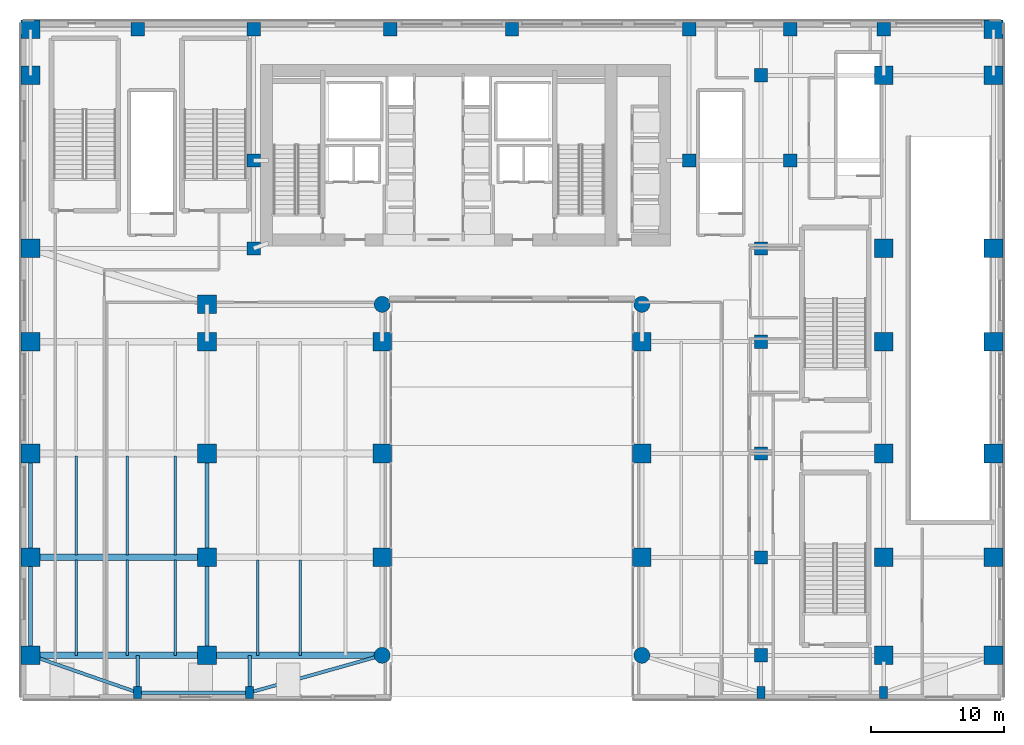
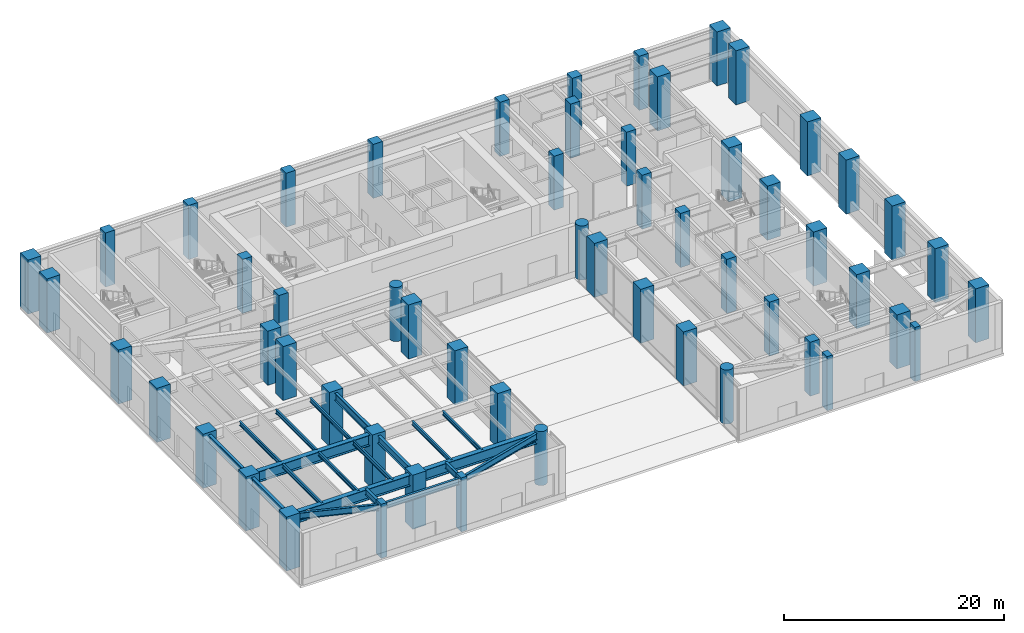
# One storey, part 1 of 28: 56 columns, 20 beams.
"""IFC4 building model written with IfcOpenShell, lengths in metres."""

from ifc_helpers import new_model, si_unit, direction, frame, origin, origin_2d, place, context, subcontext, project, spatial, rectangle, circle, i_section, extrude, source, transform, mapped, material, material_profile, profile_set, type_object, type_shapes, element, save


model = new_model("IFC4")

# Units and contexts
model_context = context("Model", 3, precision=1e-05, world=origin(), true_north=direction((0.0, 1.0)))
body_context = subcontext(model_context, "Body", "Model", "MODEL_VIEW")
ifc_project = project(units=[si_unit("LENGTHUNIT", "METRE"), si_unit("AREAUNIT", "SQUARE_METRE"), si_unit("VOLUMEUNIT", "CUBIC_METRE"), si_unit("PLANEANGLEUNIT", "RADIAN"), si_unit("MASSUNIT", "GRAM", prefix="KILO")], contexts=[model_context])

# Site, building, storey
site_placement = place(None, origin())
site = spatial("IfcSite", under=ifc_project, at=site_placement, CompositionType="ELEMENT")
building_placement = place(site_placement, origin())
building = spatial("IfcBuilding", under=site, at=building_placement, Name="Tolvann Quenvar Hotel", CompositionType="ELEMENT")
storey_placement = place(building_placement, origin())
storey = spatial("IfcBuildingStorey", under=building, at=storey_placement, Name="L00", CompositionType="ELEMENT", Elevation=0.0)

# Columns
ifc_material_1 = material(Name="Concrete S80 (80 MPa)", Category="concrete")
ifc_material_profile_1 = material_profile(ifc_material_1, rectangle(XDim=1.39990234375, YDim=1.39990234375, at=origin_2d()), Name="RC1400x1400")
ifc_profile_set_1 = profile_set([ifc_material_profile_1], Name="Concrete S80 (80 MPa)")
column_type_1 = type_object("IfcColumnType", Name="COL_RC1400", PredefinedType="COLUMN", material=ifc_profile_set_1)
shared_shape_1 = source(origin(), body_context, "Body", "SweptSolid", [
    extrude(rectangle(XDim=1.39990234375, YDim=1.39990234375, at=origin_2d()), origin(), (0.0, 0.0, 1.0), 6.0),
])
type_shapes(column_type_1, [shared_shape_1])
for number, where, z_axis, x_axis, name in (
    (1, (-7.64990234375, 0.85009765625, 0.0), (0.0, 0.0, 1.0), (1.0, 0.0, 0.0), "Column PA1 (L00)"),
    (2, (64.64990234375, 0.85009765625, 0.0), (0.0, 0.0, 1.0), (1.0, 0.0, 0.0), "Column PK1 (L00)"),
    (3, (-7.64990234375, 8.199951171875, 0.0), (0.0, 0.0, 1.0), (1.0, 0.0, 0.0), "Column PA2 (L00)"),
    (4, (64.64990234375, 8.199951171875, 0.0), (0.0, 0.0, 1.0), (1.0, 0.0, 0.0), "Column PK2 (L00)"),
    (5, (-7.64990234375, 16.0, 0.0), (0.0, 0.0, 1.0), (1.0, 0.0, 0.0), "Column PA3 (L00)"),
    (6, (64.64990234375, 16.0, 0.0), (0.0, 0.0, 1.0), (1.0, 0.0, 0.0), "Column PK3 (L00)"),
    (7, (-7.64990234375, 24.39990234375, 0.0), (0.0, 0.0, 1.0), (1.0, 0.0, 0.0), "Column PA4 (L00)"),
    (8, (64.64990234375, 24.39990234375, 0.0), (0.0, 0.0, 1.0), (1.0, 0.0, 0.0), "Column PK4 (L00)"),
    (9, (-7.64990234375, 31.39990234375, 0.0), (0.0, 0.0, 1.0), (1.0, 0.0, 0.0), "Column PA5 (L00)"),
    (10, (64.64990234375, 31.39990234375, 0.0), (0.0, 0.0, 1.0), (1.0, 0.0, 0.0), "Column PK5 (L00)"),
    (11, (-7.64990234375, 44.39990234375, 0.0), (0.0, 0.0, 1.0), (1.0, 0.0, 0.0), "Column PA6 (L00)"),
    (12, (64.64990234375, 44.39990234375, 0.0), (0.0, 0.0, 1.0), (1.0, 0.0, 0.0), "Column PK6 (L00)"),
    (13, (-7.64990234375, 47.85009765625, 0.0), (0.0, 0.0, 1.0), (1.0, 0.0, 0.0), "Column PAN (L00)"),
    (14, (64.64990234375, 47.85009765625, 0.0), (0.0, 0.0, 1.0), (1.0, 0.0, 0.0), "Column PKN (L00)"),
    (15, (18.75, 8.199951171875, 0.0), (0.0, 0.0, 1.0), (1.0, 0.0, 0.0), "Column PAPW2 (L00)"),
    (16, (38.25, 8.199951171875, 0.0), (0.0, 0.0, 1.0), (1.0, 0.0, 0.0), "Column PAPE2 (L00)"),
    (17, (18.75, 16.0, 0.0), (0.0, 0.0, 1.0), (1.0, 0.0, 0.0), "Column PAPW3 (L00)"),
    (18, (38.25, 16.0, 0.0), (0.0, 0.0, 1.0), (1.0, 0.0, 0.0), "Column PAPE3 (L00)"),
    (19, (18.75, 24.39990234375, 0.0), (0.0, 0.0, 1.0), (1.0, 0.0, 0.0), "Column PAPW4 (L00)"),
    (20, (38.25, 24.39990234375, 0.0), (0.0, 0.0, 1.0), (1.0, 0.0, 0.0), "Column PAPE4 (L00)"),
    (21, (56.39990234375, 0.85009765625, 0.0), (0.0, 0.0, 1.0), (1.0, 0.0, 0.0), "Column PJ1 (L00)"),
    (22, (56.39990234375, 8.199951171875, 0.0), (0.0, 0.0, 1.0), (1.0, 0.0, 0.0), "Column PJ2 (L00)"),
    (23, (56.39990234375, 16.0, 0.0), (0.0, 0.0, 1.0), (1.0, 0.0, 0.0), "Column PJ3 (L00)"),
    (24, (56.39990234375, 24.39990234375, 0.0), (0.0, 0.0, 1.0), (1.0, 0.0, 0.0), "Column PJ4 (L00)"),
    (25, (56.39990234375, 31.39990234375, 0.0), (0.0, 0.0, 1.0), (1.0, 0.0, 0.0), "Column PJ5 (L00)"),
    (26, (56.39990234375, 44.39990234375, 0.0), (0.0, 0.0, 1.0), (1.0, 0.0, 0.0), "Column PJ6 (L00)"),
    (27, (5.60009765625, 0.85009765625, 0.0), (0.0, 0.0, 1.0), (1.0, 0.0, 0.0), "Column PBAL1 (L00)"),
    (28, (5.60009765625, 8.199951171875, 0.0), (0.0, 0.0, 1.0), (1.0, 0.0, 0.0), "Column PBAL2 (L00)"),
    (29, (5.60009765625, 16.0, 0.0), (0.0, 0.0, 1.0), (1.0, 0.0, 0.0), "Column PBAL3 (L00)"),
    (30, (5.60009765625, 24.39990234375, 0.0), (0.0, 0.0, 1.0), (1.0, 0.0, 0.0), "Column PBAL4 (L00)"),
    (31, (5.60009765625, 27.199951171875, 0.0), (0.0, 0.0, 1.0), (1.0, 0.0, 0.0), "Column PBAL5 (L00)"),
):
    element("IfcColumn", number, at=place(storey_placement, frame(where, z_axis=z_axis, x_axis=x_axis)), inside=storey, type_object=column_type_1, Name=name, PredefinedType="COLUMN", context=body_context, shape_type="MappedRepresentation", body=[
        mapped(shared_shape_1, transform((0.0, 0.0, 0.0), x_axis=(1.0, 0.0, 0.0), y_axis=(0.0, 1.0, 0.0), z_axis=(0.0, 0.0, 1.0), scale=1.0)),
    ])
ifc_material_profile_2 = material_profile(ifc_material_1, circle(Radius=0.60009765625, at=origin_2d()), Name="RCC1200")
ifc_profile_set_2 = profile_set([ifc_material_profile_2], Name="Concrete S80 (80 MPa)")
column_type_2 = type_object("IfcColumnType", Name="COL_RCC1200", PredefinedType="COLUMN", material=ifc_profile_set_2)
shared_shape_2 = source(origin(), body_context, "Body", "SweptSolid", [
    extrude(circle(Radius=0.60009765625, at=origin_2d()), origin(), (0.0, 0.0, 1.0), 6.0),
])
type_shapes(column_type_2, [shared_shape_2])
for number, where, z_axis, x_axis, name in (
    (32, (18.75, 0.85009765625, 0.0), (0.0, 0.0, 1.0), (1.0, 0.0, 0.0), "Column PAPW1 (L00)"),
    (33, (38.25, 0.85009765625, 0.0), (0.0, 0.0, 1.0), (1.0, 0.0, 0.0), "Column PAPE1 (L00)"),
    (34, (18.75, 27.199951171875, 0.0), (0.0, 0.0, 1.0), (1.0, 0.0, 0.0), "Column PAPW5 (L00)"),
    (35, (38.25, 27.199951171875, 0.0), (0.0, 0.0, 1.0), (1.0, 0.0, 0.0), "Column PAPE5 (L00)"),
):
    element("IfcColumn", number, at=place(storey_placement, frame(where, z_axis=z_axis, x_axis=x_axis)), inside=storey, type_object=column_type_2, Name=name, PredefinedType="COLUMN", context=body_context, shape_type="MappedRepresentation", body=[
        mapped(shared_shape_2, transform((0.0, 0.0, 0.0), x_axis=(1.0, 0.0, 0.0), y_axis=(0.0, 1.0, 0.0), z_axis=(0.0, 0.0, 1.0), scale=1.0)),
    ])
ifc_material_2 = material(Name="Concrete S65 (65 MPa)", Category="concrete")
ifc_material_profile_3 = material_profile(ifc_material_2, rectangle(XDim=1.0, YDim=1.0, at=origin_2d()), Name="RC1000x1000")
ifc_profile_set_3 = profile_set([ifc_material_profile_3], Name="Concrete S65 (65 MPa)")
column_type_3 = type_object("IfcColumnType", Name="COL_RC1000", PredefinedType="COLUMN", material=ifc_profile_set_3)
shared_shape_3 = source(origin(), body_context, "Body", "SweptSolid", [
    extrude(rectangle(XDim=1.0, YDim=1.0, at=origin_2d()), origin(), (0.0, 0.0, 1.0), 6.0),
])
type_shapes(column_type_3, [shared_shape_3])
for number, where, z_axis, x_axis, name in (
    (36, (47.199951171875, 0.85009765625, 0.0), (0.0, 0.0, 1.0), (1.0, 0.0, 0.0), "Column PH1 (L00)"),
    (37, (47.199951171875, 8.199951171875, 0.0), (0.0, 0.0, 1.0), (1.0, 0.0, 0.0), "Column PH2 (L00)"),
    (38, (47.199951171875, 16.0, 0.0), (0.0, 0.0, 1.0), (1.0, 0.0, 0.0), "Column PH3 (L00)"),
    (39, (47.199951171875, 24.39990234375, 0.0), (0.0, 0.0, 1.0), (1.0, 0.0, 0.0), "Column PH4 (L00)"),
    (40, (47.199951171875, 31.39990234375, 0.0), (0.0, 0.0, 1.0), (1.0, 0.0, 0.0), "Column PH5 (L00)"),
    (41, (47.199951171875, 44.39990234375, 0.0), (0.0, 0.0, 1.0), (1.0, 0.0, 0.0), "Column PH6 (L00)"),
    (42, (0.39990234375, 47.85009765625, 0.0), (0.0, 0.0, 1.0), (1.0, 0.0, 0.0), "Column PN1 (L00)"),
    (43, (9.10009765625, 47.85009765625, 0.0), (0.0, 0.0, 1.0), (1.0, 0.0, 0.0), "Column PN2 (L00)"),
    (44, (19.35009765625, 47.85009765625, 0.0), (0.0, 0.0, 1.0), (1.0, 0.0, 0.0), "Column PN3 (L00)"),
    (45, (28.5, 47.85009765625, 0.0), (0.0, 0.0, 1.0), (1.0, 0.0, 0.0), "Column PN4 (L00)"),
    (46, (41.800048828125, 47.85009765625, 0.0), (0.0, 0.0, 1.0), (1.0, 0.0, 0.0), "Column PN5 (L00)"),
    (47, (49.39990234375, 47.85009765625, 0.0), (0.0, 0.0, 1.0), (1.0, 0.0, 0.0), "Column PN6 (L00)"),
    (48, (56.39990234375, 47.85009765625, 0.0), (0.0, 0.0, 1.0), (1.0, 0.0, 0.0), "Column PN7 (L00)"),
    (49, (9.10009765625, 38.0, 0.0), (0.0, 0.0, 1.0), (1.0, 0.0, 0.0), "Column PCN (L00)"),
    (50, (41.800048828125, 38.0, 0.0), (0.0, 0.0, 1.0), (1.0, 0.0, 0.0), "Column PHN (L00)"),
    (51, (49.39990234375, 38.0, 0.0), (0.0, 0.0, 1.0), (1.0, 0.0, 0.0), "Column PIN (L00)"),
    (52, (9.10009765625, 31.39990234375, 0.0), (0.0, 0.0, 1.0), (1.0, 0.0, 0.0), "Column PCNS (L00)"),
):
    element("IfcColumn", number, at=place(storey_placement, frame(where, z_axis=z_axis, x_axis=x_axis)), inside=storey, type_object=column_type_3, Name=name, PredefinedType="COLUMN", context=body_context, shape_type="MappedRepresentation", body=[
        mapped(shared_shape_3, transform((0.0, 0.0, 0.0), x_axis=(1.0, 0.0, 0.0), y_axis=(0.0, 1.0, 0.0), z_axis=(0.0, 0.0, 1.0), scale=1.0)),
    ])
ifc_material_3 = material(Name="Concrete N50 (50 MPa)", Category="concrete")
ifc_material_profile_4 = material_profile(ifc_material_3, rectangle(XDim=0.60009765625, YDim=0.89990234375, at=origin_2d()), Name="RC600x900")
ifc_profile_set_4 = profile_set([ifc_material_profile_4], Name="Concrete N50 (50 MPa)")
column_type_4 = type_object("IfcColumnType", Name="COL_PILASTER_600x900", PredefinedType="PILASTER", material=ifc_profile_set_4)
shared_shape_4 = source(origin(), body_context, "Body", "SweptSolid", [
    extrude(rectangle(XDim=0.60009765625, YDim=0.89990234375, at=origin_2d()), origin(), (0.0, 0.0, 1.0), 6.0),
])
type_shapes(column_type_4, [shared_shape_4])
for number, where, z_axis, x_axis, name in (
    (53, (0.39990234375, -1.949951171875, 0.0), (0.0, 0.0, 1.0), (1.0, 0.0, 0.0), "Column PIL-S1 (L00)"),
    (54, (8.800048828125, -1.949951171875, 0.0), (0.0, 0.0, 1.0), (1.0, 0.0, 0.0), "Column PIL-S2 (L00)"),
    (55, (47.199951171875, -1.949951171875, 0.0), (0.0, 0.0, 1.0), (1.0, 0.0, 0.0), "Column PIL-S3 (L00)"),
    (56, (56.39990234375, -1.949951171875, 0.0), (0.0, 0.0, 1.0), (1.0, 0.0, 0.0), "Column PIL-S4 (L00)"),
):
    element("IfcColumn", number, at=place(storey_placement, frame(where, z_axis=z_axis, x_axis=x_axis)), inside=storey, type_object=column_type_4, Name=name, PredefinedType="PILASTER", context=body_context, shape_type="MappedRepresentation", body=[
        mapped(shared_shape_4, transform((0.0, 0.0, 0.0), x_axis=(1.0, 0.0, 0.0), y_axis=(0.0, 1.0, 0.0), z_axis=(0.0, 0.0, 1.0), scale=1.0)),
    ])

# Beams
ifc_material_4 = material(Name="Steel Grade 350", Category="steel")
ifc_material_profile_5 = material_profile(ifc_material_4, i_section(OverallWidth=0.5, OverallDepth=1.199951171875, WebThickness=0.01611328125, FlangeThickness=0.0400390625, at=origin_2d()), Name="1200WB455")
ifc_profile_set_5 = profile_set([ifc_material_profile_5], Name="Steel Grade 350")
beam_type_1 = type_object("IfcBeamType", Name="BM_TG_1200WB455", PredefinedType="USERDEFINED", material=ifc_profile_set_5)
shared_shape_5 = source(origin(), body_context, "Body", "SweptSolid", [
    extrude(i_section(OverallWidth=0.5, OverallDepth=1.199951171875, WebThickness=0.01611328125, FlangeThickness=0.0400390625, at=origin_2d()), origin(), (0.0, 0.0, 1.0), 13.25),
])
for number, where, z_axis, x_axis, name in (
    (57, (-7.64990234375, 0.85009765625, 5.139892578125), (1.0, 0.0, 0.0), (0.0, 1.0, 0.0), "BM-L00-GW1-1"),
    (58, (-7.64990234375, 8.199951171875, 5.139892578125), (1.0, 0.0, 0.0), (0.0, 1.0, 0.0), "BM-L00-GW1-2"),
):
    element("IfcBeam", number, at=place(storey_placement, frame(where, z_axis=z_axis, x_axis=x_axis)), inside=storey, type_object=beam_type_1, Name=name, ObjectType="TRANSFER GIRDER", PredefinedType="USERDEFINED", context=body_context, shape_type="MappedRepresentation", body=[
        mapped(shared_shape_5, transform((0.0, 0.0, 0.0), x_axis=(1.0, 0.0, 0.0), y_axis=(0.0, 1.0, 0.0), z_axis=(0.0, 0.0, 1.0), scale=1.0)),
    ])
shared_shape_6 = source(origin(), body_context, "Body", "SweptSolid", [
    extrude(i_section(OverallWidth=0.5, OverallDepth=1.199951171875, WebThickness=0.01611328125, FlangeThickness=0.0400390625, at=origin_2d()), origin(), (0.0, 0.0, 1.0), 13.14990234375),
])
type_shapes(beam_type_1, [shared_shape_5, shared_shape_6])
beam_1_placement = place(storey_placement, frame((5.60009765625, 0.85009765625, 5.139892578125), z_axis=(1.0, 0.0, 0.0), x_axis=(0.0, 1.0, 0.0)))
element("IfcBeam", 59, at=beam_1_placement, inside=storey, type_object=beam_type_1, Name="BM-L00-GW2-1", ObjectType="TRANSFER GIRDER", PredefinedType="USERDEFINED", context=body_context, shape_type="MappedRepresentation", body=[
    mapped(shared_shape_6, transform((0.0, 0.0, 0.0), x_axis=(1.0, 0.0, 0.0), y_axis=(0.0, 1.0, 0.0), z_axis=(0.0, 0.0, 1.0), scale=1.0)),
])
ifc_material_profile_6 = material_profile(ifc_material_4, i_section(OverallWidth=0.300048828125, OverallDepth=0.81591796875, WebThickness=0.010009765625, FlangeThickness=0.028076171875, at=origin_2d()), Name="800WB192")
ifc_profile_set_6 = profile_set([ifc_material_profile_6], Name="Steel Grade 350")
beam_type_2 = type_object("IfcBeamType", Name="BM_GIRD_800WB192", PredefinedType="BEAM", material=ifc_profile_set_6)
shared_shape_7 = source(origin(), body_context, "Body", "SweptSolid", [
    extrude(i_section(OverallWidth=0.300048828125, OverallDepth=0.81591796875, WebThickness=0.010009765625, FlangeThickness=0.028076171875, at=origin_2d()), origin(), (0.0, 0.0, 1.0), 7.349853515625),
])
for number, where, z_axis, x_axis, name in (
    (60, (5.60009765625, 0.85009765625, 5.33203125), (0.0, 1.0, 0.0), (-1.0, 0.0, 0.0), "BM-L00-NS-PBAL-0"),
    (61, (-7.64990234375, 0.85009765625, 5.33203125), (0.0, 1.0, 0.0), (-1.0, 0.0, 0.0), "BM-L00-NS-A-0"),
):
    element("IfcBeam", number, at=place(storey_placement, frame(where, z_axis=z_axis, x_axis=x_axis)), inside=storey, type_object=beam_type_2, Name=name, PredefinedType="BEAM", context=body_context, shape_type="MappedRepresentation", body=[
        mapped(shared_shape_7, transform((0.0, 0.0, 0.0), x_axis=(1.0, 0.0, 0.0), y_axis=(0.0, 1.0, 0.0), z_axis=(0.0, 0.0, 1.0), scale=1.0)),
    ])
shared_shape_8 = source(origin(), body_context, "Body", "SweptSolid", [
    extrude(i_section(OverallWidth=0.300048828125, OverallDepth=0.81591796875, WebThickness=0.010009765625, FlangeThickness=0.028076171875, at=origin_2d()), origin(), (0.0, 0.0, 1.0), 7.800048828125),
])
type_shapes(beam_type_2, [shared_shape_7, shared_shape_8])
for number, where, z_axis, x_axis, name in (
    (62, (5.60009765625, 8.199951171875, 5.33203125), (0.0, 1.0, 0.0), (-1.0, 0.0, 0.0), "BM-L00-NS-PBAL-1"),
    (63, (-7.64990234375, 8.199951171875, 5.33203125), (0.0, 1.0, 0.0), (-1.0, 0.0, 0.0), "BM-L00-NS-A-1"),
):
    element("IfcBeam", number, at=place(storey_placement, frame(where, z_axis=z_axis, x_axis=x_axis)), inside=storey, type_object=beam_type_2, Name=name, PredefinedType="BEAM", context=body_context, shape_type="MappedRepresentation", body=[
        mapped(shared_shape_8, transform((0.0, 0.0, 0.0), x_axis=(1.0, 0.0, 0.0), y_axis=(0.0, 1.0, 0.0), z_axis=(0.0, 0.0, 1.0), scale=1.0)),
    ])
ifc_material_profile_7 = material_profile(ifc_material_4, i_section(OverallWidth=0.25, OverallDepth=0.699951171875, WebThickness=0.010009765625, FlangeThickness=0.02392578125, at=origin_2d()), Name="700WB150")
ifc_profile_set_7 = profile_set([ifc_material_profile_7], Name="Steel Grade 350")
beam_type_3 = type_object("IfcBeamType", Name="BM_GIRD_700WB150", PredefinedType="BEAM", material=ifc_profile_set_7)
shared_shape_9 = source(origin(), body_context, "Body", "SweptSolid", [
    extrude(i_section(OverallWidth=0.25, OverallDepth=0.699951171875, WebThickness=0.010009765625, FlangeThickness=0.02392578125, at=origin_2d()), origin(), (0.0, 0.0, 1.0), 8.52294921875),
])
beam_2_placement = place(storey_placement, frame((-7.64990234375, 0.85009765625, 5.389892578125), z_axis=(0.944492545724, -0.328532846261, 0.0), x_axis=(0.328532846261, 0.944492545724, 0.0)))
element("IfcBeam", 64, at=beam_2_placement, inside=storey, type_object=beam_type_3, Name="BM-L00-EWS-W0", PredefinedType="BEAM", context=body_context, shape_type="MappedRepresentation", body=[
    mapped(shared_shape_9, transform((0.0, 0.0, 0.0), x_axis=(1.0, 0.0, 0.0), y_axis=(0.0, 1.0, 0.0), z_axis=(0.0, 0.0, 1.0), scale=1.0)),
])
shared_shape_10 = source(origin(), body_context, "Body", "SweptSolid", [
    extrude(i_section(OverallWidth=0.25, OverallDepth=0.699951171875, WebThickness=0.010009765625, FlangeThickness=0.02392578125, at=origin_2d()), origin(), (0.0, 0.0, 1.0), 8.400146484375),
])
beam_3_placement = place(storey_placement, frame((0.39990234375, -1.949951171875, 5.389892578125), z_axis=(1.0, 0.0, 0.0), x_axis=(0.0, 1.0, 0.0)))
element("IfcBeam", 65, at=beam_3_placement, inside=storey, type_object=beam_type_3, Name="BM-L00-EWS-W1", PredefinedType="BEAM", context=body_context, shape_type="MappedRepresentation", body=[
    mapped(shared_shape_10, transform((0.0, 0.0, 0.0), x_axis=(1.0, 0.0, 0.0), y_axis=(0.0, 1.0, 0.0), z_axis=(0.0, 0.0, 1.0), scale=1.0)),
])
shared_shape_11 = source(origin(), body_context, "Body", "SweptSolid", [
    extrude(i_section(OverallWidth=0.25, OverallDepth=0.699951171875, WebThickness=0.010009765625, FlangeThickness=0.02392578125, at=origin_2d()), origin(), (0.0, 0.0, 1.0), 10.33642578125),
])
beam_4_placement = place(storey_placement, frame((8.800048828125, -1.949951171875, 5.389892578125), z_axis=(0.962609953155, 0.270891266169, 0.0), x_axis=(-0.270891266169, 0.962609953155, 0.0)))
element("IfcBeam", 66, at=beam_4_placement, inside=storey, type_object=beam_type_3, Name="BM-L00-EWS-W2", PredefinedType="BEAM", context=body_context, shape_type="MappedRepresentation", body=[
    mapped(shared_shape_11, transform((0.0, 0.0, 0.0), x_axis=(1.0, 0.0, 0.0), y_axis=(0.0, 1.0, 0.0), z_axis=(0.0, 0.0, 1.0), scale=1.0)),
])
shared_shape_12 = source(origin(), body_context, "Body", "SweptSolid", [
    extrude(i_section(OverallWidth=0.25, OverallDepth=0.699951171875, WebThickness=0.010009765625, FlangeThickness=0.02392578125, at=origin_2d()), origin(), (0.0, 0.0, 1.0), 2.800048828125),
])
type_shapes(beam_type_3, [shared_shape_9, shared_shape_10, shared_shape_11, shared_shape_12])
for number, where, z_axis, x_axis, name in (
    (67, (0.39990234375, -1.949951171875, 5.389892578125), (0.0, 1.0, 0.0), (-1.0, 0.0, 0.0), "BM-L00-TIE-S-0"),
    (68, (8.800048828125, -1.949951171875, 5.389892578125), (0.0, 1.0, 0.0), (-1.0, 0.0, 0.0), "BM-L00-TIE-S-8"),
):
    element("IfcBeam", number, at=place(storey_placement, frame(where, z_axis=z_axis, x_axis=x_axis)), inside=storey, type_object=beam_type_3, Name=name, PredefinedType="BEAM", context=body_context, shape_type="MappedRepresentation", body=[
        mapped(shared_shape_12, transform((0.0, 0.0, 0.0), x_axis=(1.0, 0.0, 0.0), y_axis=(0.0, 1.0, 0.0), z_axis=(0.0, 0.0, 1.0), scale=1.0)),
    ])
ifc_material_profile_8 = material_profile(ifc_material_4, i_section(OverallWidth=0.18994140625, OverallDepth=0.4541015625, WebThickness=0.008544921875, FlangeThickness=0.0126953125, FilletRadius=0.011474609375, at=origin_2d()), Name="460UB67")
ifc_profile_set_8 = profile_set([ifc_material_profile_8], Name="Steel Grade 350")
beam_type_4 = type_object("IfcBeamType", Name="BM_JOIST_460UB67", PredefinedType="JOIST", material=ifc_profile_set_8)
shared_shape_13 = source(origin(), body_context, "Body", "SweptSolid", [
    extrude(i_section(OverallWidth=0.18994140625, OverallDepth=0.4541015625, WebThickness=0.008544921875, FlangeThickness=0.0126953125, FilletRadius=0.011474609375, at=origin_2d()), origin(), (0.0, 0.0, 1.0), 7.164794921875),
])
for number, where, z_axis, x_axis, name in (
    (69, (-4.199951171875, 0.85009765625, 5.512939453125), (0.0, 1.0, 0.0), (-1.0, 0.0, 0.0), "BJ-L00--42-8"),
    (70, (-0.39990234375, 0.85009765625, 5.512939453125), (0.0, 1.0, 0.0), (-1.0, 0.0, 0.0), "BJ-L00--4-8"),
    (71, (3.199951171875, 0.85009765625, 5.512939453125), (0.0, 1.0, 0.0), (-1.0, 0.0, 0.0), "BJ-L00-32-8"),
    (72, (9.39990234375, 0.85009765625, 5.512939453125), (0.0, 1.0, 0.0), (-1.0, 0.0, 0.0), "BJ-L00-94-8"),
    (73, (12.60009765625, 0.85009765625, 5.512939453125), (0.0, 1.0, 0.0), (-1.0, 0.0, 0.0), "BJ-L00-126-8"),
):
    element("IfcBeam", number, at=place(storey_placement, frame(where, z_axis=z_axis, x_axis=x_axis)), inside=storey, type_object=beam_type_4, Name=name, PredefinedType="JOIST", context=body_context, shape_type="MappedRepresentation", body=[
        mapped(shared_shape_13, transform((0.0, 0.0, 0.0), x_axis=(1.0, 0.0, 0.0), y_axis=(0.0, 1.0, 0.0), z_axis=(0.0, 0.0, 1.0), scale=1.0)),
    ])
shared_shape_14 = source(origin(), body_context, "Body", "SweptSolid", [
    extrude(i_section(OverallWidth=0.18994140625, OverallDepth=0.4541015625, WebThickness=0.008544921875, FlangeThickness=0.0126953125, FilletRadius=0.011474609375, at=origin_2d()), origin(), (0.0, 0.0, 1.0), 7.429931640625),
])
type_shapes(beam_type_4, [shared_shape_13, shared_shape_14])
for number, where, z_axis, x_axis, name in (
    (74, (-4.199951171875, 8.385009765625, 5.512939453125), (0.0, 1.0, 0.0), (-1.0, 0.0, 0.0), "BJ-L00--42-82"),
    (75, (-0.39990234375, 8.385009765625, 5.512939453125), (0.0, 1.0, 0.0), (-1.0, 0.0, 0.0), "BJ-L00--4-82"),
    (76, (3.199951171875, 8.385009765625, 5.512939453125), (0.0, 1.0, 0.0), (-1.0, 0.0, 0.0), "BJ-L00-32-82"),
):
    element("IfcBeam", number, at=place(storey_placement, frame(where, z_axis=z_axis, x_axis=x_axis)), inside=storey, type_object=beam_type_4, Name=name, PredefinedType="JOIST", context=body_context, shape_type="MappedRepresentation", body=[
        mapped(shared_shape_14, transform((0.0, 0.0, 0.0), x_axis=(1.0, 0.0, 0.0), y_axis=(0.0, 1.0, 0.0), z_axis=(0.0, 0.0, 1.0), scale=1.0)),
    ])

save(model, "model.ifc")
